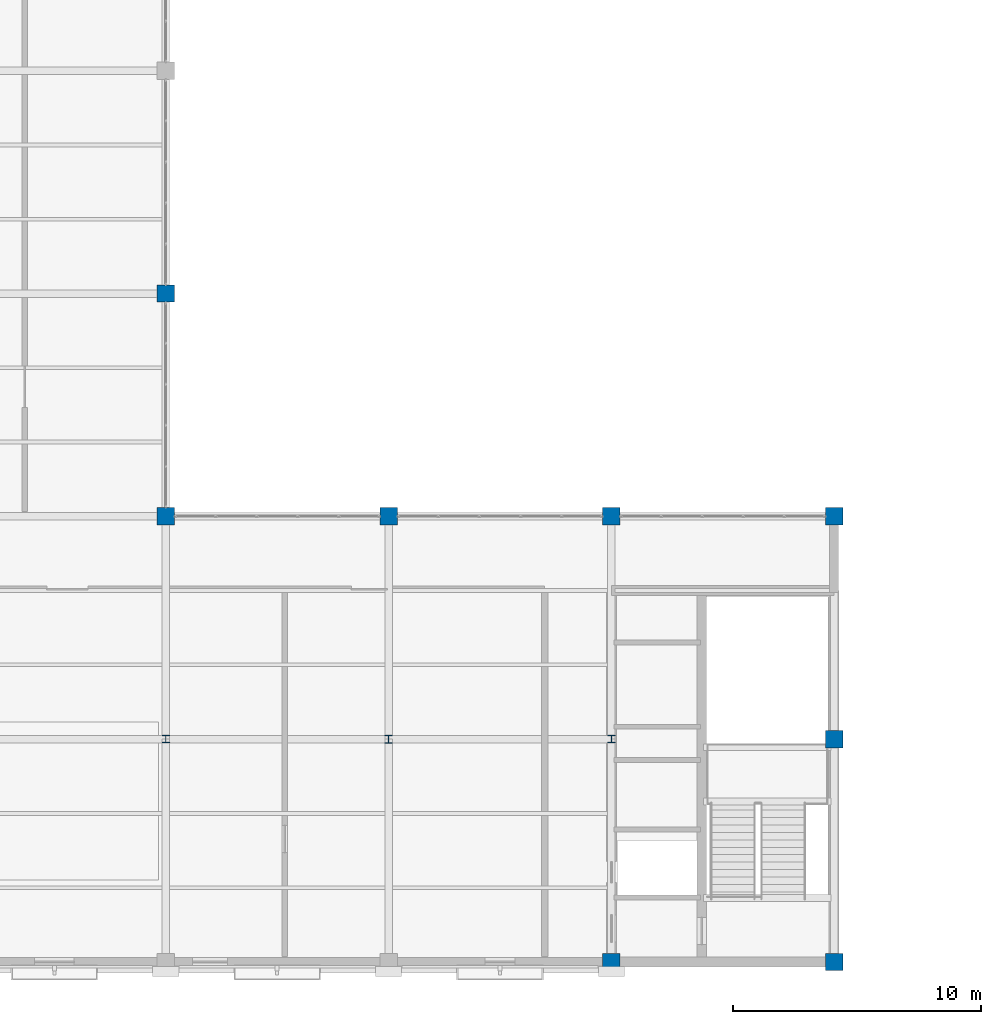
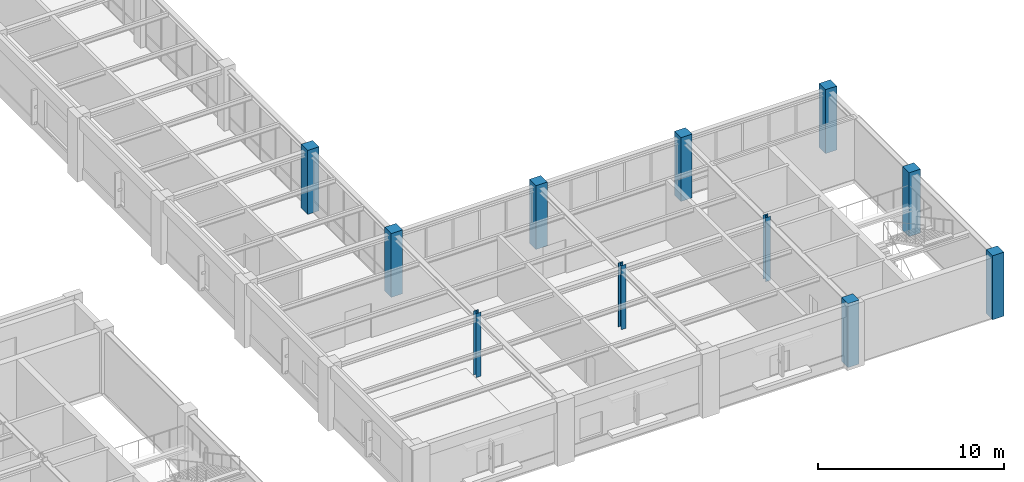
# One storey, part 6 of 108: 11 columns.
"""IFC4 building model written with IfcOpenShell, lengths in metres."""

from ifc_helpers import new_model, si_unit, direction, frame, origin, origin_2d, place, context, subcontext, project, spatial, rectangle, i_section, extrude, material, material_profile, profile_set, type_object, element, save


model = new_model("IFC4")

# Units and contexts
model_context = context("Model", 3, precision=1e-05, world=origin(), true_north=direction((0.0, 1.0)))
body_context = subcontext(model_context, "Body", "Model", "MODEL_VIEW")
ifc_project = project(units=[si_unit("LENGTHUNIT", "METRE"), si_unit("AREAUNIT", "SQUARE_METRE"), si_unit("VOLUMEUNIT", "CUBIC_METRE"), si_unit("PLANEANGLEUNIT", "RADIAN"), si_unit("MASSUNIT", "GRAM", prefix="KILO")], contexts=[model_context])

# Site, building, storey
site_placement = place(None, origin())
site = spatial("IfcSite", under=ifc_project, at=site_placement, CompositionType="ELEMENT")
building_placement = place(site_placement, origin())
building = spatial("IfcBuilding", under=site, at=building_placement, Name="Lykobir Media Centre", CompositionType="ELEMENT")
storey_placement = place(building_placement, frame((0.0, 0.0, 15.0)))
storey = spatial("IfcBuildingStorey", under=building, at=storey_placement, Name="L03", CompositionType="ELEMENT", Elevation=15.0)

# Columns
ifc_material_1 = material(Name="Concrete C40/50", Category="concrete")
ifc_material_profile_1 = material_profile(ifc_material_1, rectangle(XDim=0.699951171875, YDim=0.699951171875, at=origin_2d()), Name="RC 700x700")
ifc_profile_set_1 = profile_set([ifc_material_profile_1], Name="Concrete C40/50")
column_type_1 = type_object("IfcColumnType", Name="RC-C700", PredefinedType="COLUMN", material=ifc_profile_set_1)
for number, where, z_axis, x_axis, name in (
    (1, (99.0, 18.0, 0.0), (0.0, 0.0, 1.0), (1.0, 0.0, 0.0), "Column COL-L03-0990-0180"),
    (2, (99.0, 27.0, 0.0), (0.0, 0.0, 1.0), (1.0, 0.0, 0.0), "Column COL-L03-0990-0270"),
    (3, (108.0, 18.0, 0.0), (0.0, 0.0, 1.0), (1.0, 0.0, 0.0), "Column COL-L03-1080-0180"),
    (4, (117.0, 18.0, 0.0), (0.0, 0.0, 1.0), (1.0, 0.0, 0.0), "Column COL-L03-1170-0180"),
    (5, (126.0, 9.0, 0.0), (0.0, 0.0, 1.0), (1.0, 0.0, 0.0), "Column COL-L03-1260-0090"),
    (6, (126.0, 18.0, 0.0), (0.0, 0.0, 1.0), (1.0, 0.0, 0.0), "Column COL-L03-1260-0180"),
):
    element("IfcColumn", number, at=place(storey_placement, frame(where, z_axis=z_axis, x_axis=x_axis)), inside=storey, type_object=column_type_1, Name=name, PredefinedType="COLUMN", context=body_context, shape_type="SweptSolid", body=[
        extrude(rectangle(XDim=0.699951171875, YDim=0.699951171875, at=origin_2d()), origin(), (0.0, 0.0, 1.0), 4.199951171875),
    ])
ifc_material_profile_2 = material_profile(ifc_material_1, rectangle(XDim=0.699951171875, YDim=0.699951171875, at=origin_2d()), Name="RC 700x700")
ifc_profile_set_2 = profile_set([ifc_material_profile_2], Name="Concrete C40/50")
column_type_2 = type_object("IfcColumnType", Name="RC-C700-E", PredefinedType="COLUMN", material=ifc_profile_set_2)
for number, where, z_axis, x_axis, name in (
    (7, (117.0, 0.0, 0.0), (0.0, 0.0, 1.0), (1.0, 0.0, 0.0), "Column COL-L03-1170-0000"),
    (8, (126.0, 0.0, 0.0), (0.0, 0.0, 1.0), (1.0, 0.0, 0.0), "Column COL-L03-1260-0000"),
):
    element("IfcColumn", number, at=place(storey_placement, frame(where, z_axis=z_axis, x_axis=x_axis)), inside=storey, type_object=column_type_2, Name=name, PredefinedType="COLUMN", context=body_context, shape_type="SweptSolid", body=[
        extrude(rectangle(XDim=0.699951171875, YDim=0.699951171875, at=origin_2d()), origin(), (0.0, 0.0, 1.0), 4.199951171875),
    ])
ifc_material_2 = material(Name="Steel S355", Category="steel")
ifc_material_profile_3 = material_profile(ifc_material_2, i_section(OverallWidth=0.300048828125, OverallDepth=0.300048828125, WebThickness=0.010986328125, FlangeThickness=0.01904296875, at=origin_2d()), Name="HEB 300")
ifc_profile_set_3 = profile_set([ifc_material_profile_3], Name="Steel S355")
column_type_3 = type_object("IfcColumnType", Name="SC-HEB300", PredefinedType="COLUMN", material=ifc_profile_set_3)
for number, where, z_axis, x_axis, name in (
    (9, (99.0, 9.0, 0.0), (0.0, 0.0, 1.0), (1.0, 0.0, 0.0), "Column COL-L03-0990-0090"),
    (10, (117.0, 9.0, 0.0), (0.0, 0.0, 1.0), (1.0, 0.0, 0.0), "Column COL-L03-1170-0090"),
):
    element("IfcColumn", number, at=place(storey_placement, frame(where, z_axis=z_axis, x_axis=x_axis)), inside=storey, type_object=column_type_3, Name=name, PredefinedType="COLUMN", context=body_context, shape_type="SweptSolid", body=[
        extrude(i_section(OverallWidth=0.300048828125, OverallDepth=0.300048828125, WebThickness=0.010986328125, FlangeThickness=0.01904296875, at=origin_2d()), origin(), (0.0, 0.0, 1.0), 4.199951171875),
    ])
ifc_material_profile_4 = material_profile(ifc_material_2, i_section(OverallWidth=0.300048828125, OverallDepth=0.320068359375, WebThickness=0.011474609375, FlangeThickness=0.0205078125, at=origin_2d()), Name="HEB 320")
ifc_profile_set_4 = profile_set([ifc_material_profile_4], Name="Steel S355")
column_type_4 = type_object("IfcColumnType", Name="SC-HEB320", PredefinedType="COLUMN", material=ifc_profile_set_4)
column_placement = place(storey_placement, frame((108.0, 9.0, 0.0), z_axis=(0.0, 0.0, 1.0), x_axis=(1.0, 0.0, 0.0)))
element("IfcColumn", 11, at=column_placement, inside=storey, type_object=column_type_4, Name="Column COL-L03-1080-0090", PredefinedType="COLUMN", context=body_context, shape_type="SweptSolid", body=[
    extrude(i_section(OverallWidth=0.300048828125, OverallDepth=0.320068359375, WebThickness=0.011474609375, FlangeThickness=0.0205078125, at=origin_2d()), origin(), (0.0, 0.0, 1.0), 4.199951171875),
])

save(model, "model.ifc")
